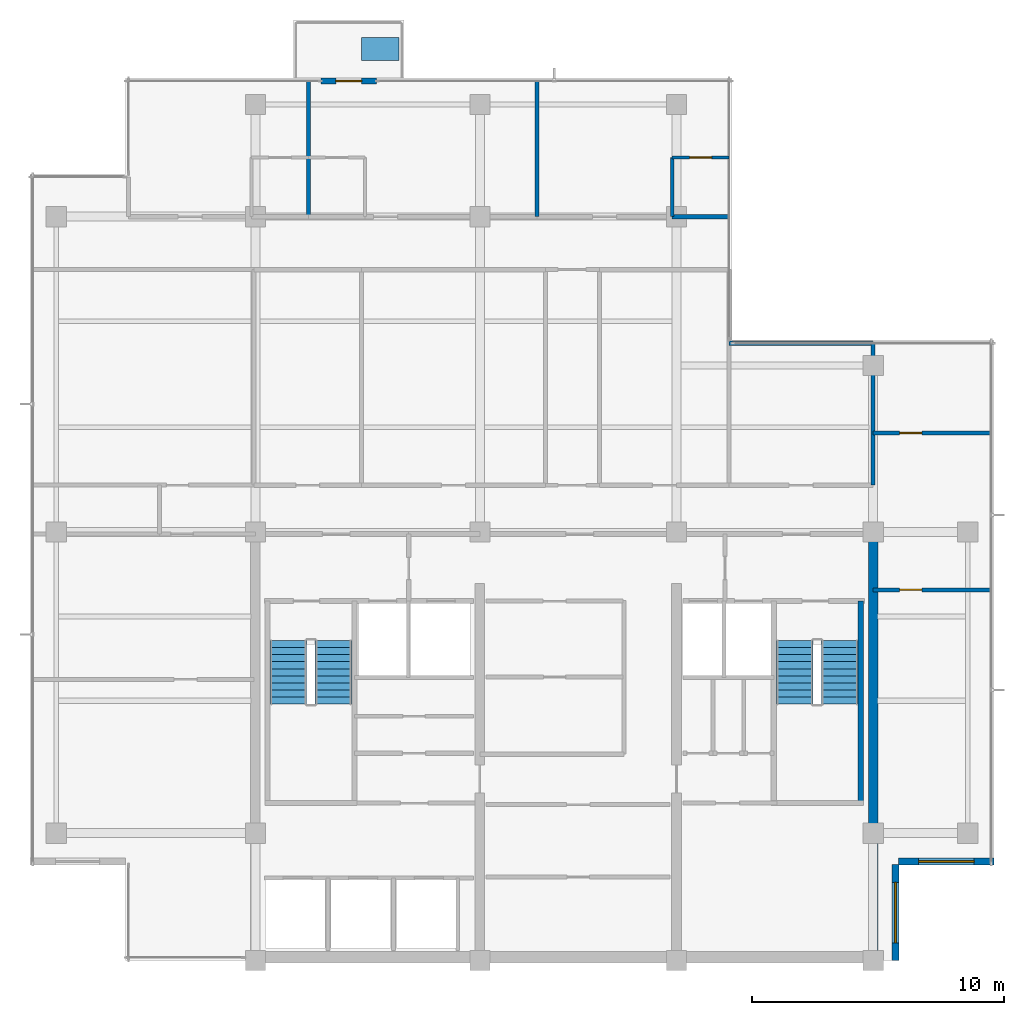
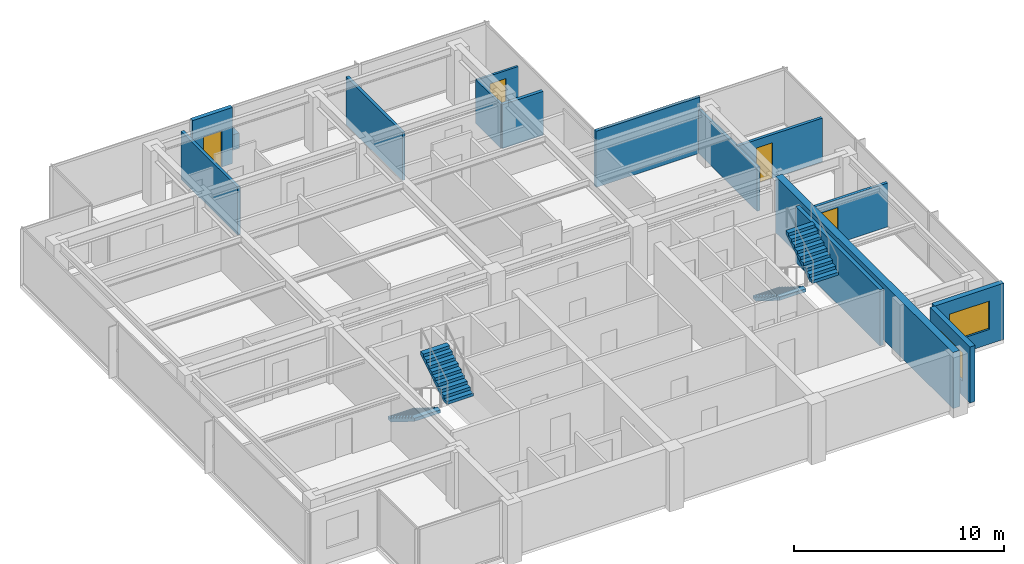
# One storey, part 8 of 11: 14 walls, 4 doors, 4 stair flights, 2 windows, 1 discrete accessory, 6 openings, 2 elements without a shape of their own.
"""IFC4 building model written with IfcOpenShell, lengths in metres."""

from ifc_helpers import new_model, si_unit, direction, frame, frame_2d, origin, place, context, subcontext, project, spatial, polyline, rectangle, outline, extrude, material, layer, layer_set, type_object, element, fill, aggregate, save


model = new_model("IFC4")

# Units and contexts
model_context = context("Model", 3, precision=1e-05, world=origin(), true_north=direction((0.0, 1.0)))
body_context = subcontext(model_context, "Body", "Model", "MODEL_VIEW")
ifc_project = project(units=[si_unit("LENGTHUNIT", "METRE"), si_unit("AREAUNIT", "SQUARE_METRE"), si_unit("VOLUMEUNIT", "CUBIC_METRE"), si_unit("PLANEANGLEUNIT", "RADIAN"), si_unit("MASSUNIT", "GRAM", prefix="KILO")], contexts=[model_context])

# Site, building, storey
site_placement = place(None, origin())
site = spatial("IfcSite", under=ifc_project, at=site_placement, CompositionType="ELEMENT")
building_placement = place(site_placement, origin())
building = spatial("IfcBuilding", under=site, at=building_placement, Name="Qalmaran Belvedere Hotel", CompositionType="ELEMENT")
storey_placement = place(building_placement, frame((0.0, 0.0, 249.39990234375)))
storey = spatial("IfcBuildingStorey", under=building, at=storey_placement, Name="L64", CompositionType="ELEMENT", Elevation=249.39990234375)

# Wall, opening, door
ifc_material_1 = material(Name="Anodised Bronze Cladding")
ifc_layer_1 = layer(ifc_material_1, 0.22509765625, Name="Anodised Bronze Cladding")
ifc_layer_set_1 = layer_set([ifc_layer_1], Name="Anodised Bronze Cladding")
wall_type_1 = type_object("IfcWallType", Name="WL-BAL-PORT-225", PredefinedType="SOLIDWALL", material=ifc_layer_set_1)
wall_1_placement = place(storey_placement, frame((22.89990234375, 38.3798828125, 0.0), z_axis=(0.0, 0.0, 1.0), x_axis=(1.0, 0.0, 0.0)))
wall_1 = element("IfcWall", 1, at=wall_1_placement, inside=storey, type_object=wall_type_1, Name="L64 Tree Balcony Door Portal", PredefinedType="SOLIDWALL", context=body_context, shape_type="SweptSolid", body=[
    extrude(rectangle(XDim=2.2001953125, YDim=0.22509765625, at=frame_2d((1.10009765625, 0.0))), origin(), (0.0, 0.0, 1.0), 3.260009765625),
])
opening_1_placement = place(wall_1_placement, frame((0.590087890625, 0.0, 0.0)))
opening_1 = element("IfcOpeningElement", 2, at=opening_1_placement, cuts=wall_1, Name="Opening BL-102", PredefinedType="OPENING", context=body_context, shape_type="SweptSolid", body=[
    extrude(rectangle(XDim=1.02001953125, YDim=2.10009765625, at=frame_2d((0.510009765625, 1.050048828125))), frame((0.0, 0.12255859375, 0.0), z_axis=(0.0, -1.0, 0.0), x_axis=(1.0, 0.0, 0.0)), (0.0, 0.0, 1.0), 0.2451171875),
])
ifc_material_2 = material(Name="Anodised Bronze Aluminium", Category="aluminium")
door_type_1 = type_object("IfcDoorType", Name="DR-BAL-1020X2100", OperationType="NOTDEFINED", PredefinedType="DOOR", material=ifc_material_2)
door_1_placement = place(opening_1_placement, origin())
door_1 = element("IfcDoor", 3, at=door_1_placement, inside=storey, type_object=door_type_1, Name="L64 Planted Tree Balcony Door", OperationType="SINGLE_SWING_LEFT", OverallHeight=2.10009765625, OverallWidth=1.02001953125, PredefinedType="DOOR", context=body_context, shape_type="SweptSolid", body=[
    extrude(rectangle(XDim=1.02001953125, YDim=2.10009765625, at=frame_2d((0.510009765625, 1.050048828125))), frame((0.0, 0.02490234375, 0.0), z_axis=(0.0, -1.0, 0.0), x_axis=(1.0, 0.0, 0.0)), (0.0, 0.0, 1.0), 0.050048828125),
])
fill(opening_1, door_1)

# Wall
ifc_material_3 = material(Name="Concrete C50/60", Category="concrete")
ifc_layer_2 = layer(ifc_material_3, 0.3798828125, Name="Concrete C50/60")
ifc_layer_set_2 = layer_set([ifc_layer_2], Name="Concrete C50/60")
wall_type_2 = type_object("IfcWallType", Name="WL-CORE-380-C50", PredefinedType="SHEAR", material=ifc_layer_set_2)
wall_2_placement = place(storey_placement, frame((44.800048828125, 3.5, 0.0), z_axis=(0.0, 0.0, 1.0), x_axis=(0.0, 1.0, 0.0)))
element("IfcWall", 4, at=wall_2_placement, inside=storey, type_object=wall_type_2, Name="L64 East Core Shear Wall", PredefinedType="SHEAR", context=body_context, shape_type="SweptSolid", body=[
    extrude(rectangle(XDim=16.89990234375, YDim=0.3798828125, at=frame_2d((8.449951171875, 0.0))), origin(), (0.0, 0.0, 1.0), 3.260009765625),
])

# Wall, opening, window
ifc_layer_3 = layer(ifc_material_1, 0.280029296875, Name="Anodised Bronze Cladding")
ifc_layer_set_3 = layer_set([ifc_layer_3], Name="Anodised Bronze Cladding")
wall_type_3 = type_object("IfcWallType", Name="WL-EXT-BRNZ-280", PredefinedType="SOLIDWALL", material=ifc_layer_set_3)
wall_3_placement = place(storey_placement, frame((45.679931640625, 3.5, 0.0), z_axis=(0.0, 0.0, 1.0), x_axis=(0.0, 1.0, 0.0)))
wall_3 = element("IfcWall", 5, at=wall_3_placement, inside=storey, type_object=wall_type_3, Name="L64 Corner Notch Wall 1", PredefinedType="SOLIDWALL", context=body_context, shape_type="SweptSolid", body=[
    extrude(rectangle(XDim=3.800048828125, YDim=0.280029296875, at=frame_2d((1.89990234375, 0.0))), origin(), (0.0, 0.0, 1.0), 3.260009765625),
])
opening_2_placement = place(wall_3_placement, frame((0.699951171875, 0.0, 0.85009765625)))
opening_2 = element("IfcOpeningElement", 6, at=opening_2_placement, cuts=wall_3, Name="Opening W-N24", PredefinedType="OPENING", context=body_context, shape_type="SweptSolid", body=[
    extrude(rectangle(XDim=2.39990234375, YDim=1.64990234375, at=frame_2d((1.199951171875, 0.824951171875))), frame((0.0, 0.14990234375, 0.0), z_axis=(0.0, -1.0, 0.0), x_axis=(1.0, 0.0, 0.0)), (0.0, 0.0, 1.0), 0.300048828125),
])
ifc_material_4 = material(Name="Solar-Control Double Glazing", Category="glass")
window_type_1 = type_object("IfcWindowType", Name="WN-NTC-2400X1650", PartitioningType="SINGLE_PANEL", PredefinedType="WINDOW", material=ifc_material_4)
window_1_placement = place(opening_2_placement, origin())
window_1 = element("IfcWindow", 7, at=window_1_placement, inside=storey, type_object=window_type_1, Name="L64 Corner Notch Window 1", OverallHeight=1.64990234375, OverallWidth=2.39990234375, PartitioningType="SINGLE_PANEL", PredefinedType="WINDOW", context=body_context, shape_type="SweptSolid", body=[
    extrude(rectangle(XDim=2.39990234375, YDim=1.64990234375, at=frame_2d((1.199951171875, 0.824951171875))), frame((0.0, 0.030029296875, 0.0), z_axis=(0.0, -1.0, 0.0), x_axis=(1.0, 0.0, 0.0)), (0.0, 0.0, 1.0), 0.06005859375),
])
fill(opening_2, window_1)

wall_4_placement = place(storey_placement, frame((45.800048828125, 7.419921875, 0.0), z_axis=(0.0, 0.0, 1.0), x_axis=(1.0, 0.0, 0.0)))
wall_4 = element("IfcWall", 8, at=wall_4_placement, inside=storey, type_object=wall_type_3, Name="L64 Corner Notch Wall 2", PredefinedType="SOLIDWALL", context=body_context, shape_type="SweptSolid", body=[
    extrude(rectangle(XDim=3.800048828125, YDim=0.280029296875, at=frame_2d((1.89990234375, 0.0))), origin(), (0.0, 0.0, 1.0), 3.260009765625),
])
opening_3_placement = place(wall_4_placement, frame((0.800048828125, 0.0, 0.85009765625)))
opening_3 = element("IfcOpeningElement", 9, at=opening_3_placement, cuts=wall_4, Name="Opening W-N22", PredefinedType="OPENING", context=body_context, shape_type="SweptSolid", body=[
    extrude(rectangle(XDim=2.199951171875, YDim=1.64990234375, at=frame_2d((1.10009765625, 0.824951171875))), frame((0.0, 0.14990234375, 0.0), z_axis=(0.0, -1.0, 0.0), x_axis=(1.0, 0.0, 0.0)), (0.0, 0.0, 1.0), 0.300048828125),
])
window_type_2 = type_object("IfcWindowType", Name="WN-NTC-2200X1650", PartitioningType="SINGLE_PANEL", PredefinedType="WINDOW", material=ifc_material_4)
window_2_placement = place(opening_3_placement, origin())
window_2 = element("IfcWindow", 10, at=window_2_placement, inside=storey, type_object=window_type_2, Name="L64 Corner Notch Window 2", OverallHeight=1.64990234375, OverallWidth=2.199951171875, PartitioningType="SINGLE_PANEL", PredefinedType="WINDOW", context=body_context, shape_type="SweptSolid", body=[
    extrude(rectangle(XDim=2.199951171875, YDim=1.64990234375, at=frame_2d((1.10009765625, 0.824951171875))), frame((0.0, 0.030029296875, 0.0), z_axis=(0.0, -1.0, 0.0), x_axis=(1.0, 0.0, 0.0)), (0.0, 0.0, 1.0), 0.06005859375),
])
fill(opening_3, window_2)

# Wall, opening, door
ifc_material_5 = material(Name="Moisture-Resistant Gypsum")
ifc_layer_4 = layer(ifc_material_5, 0.1201171875, Name="Moisture-Resistant Gypsum")
ifc_layer_set_4 = layer_set([ifc_layer_4], Name="Moisture-Resistant Gypsum")
wall_type_4 = type_object("IfcWallType", Name="WL-INT-120-BATH", PredefinedType="PARTITIONING", material=ifc_layer_set_4)
wall_5_placement = place(storey_placement, frame((36.830078125, 35.35009765625, 0.0), z_axis=(0.0, 0.0, 1.0), x_axis=(1.0, 0.0, 0.0)))
wall_5 = element("IfcWall", 11, at=wall_5_placement, inside=storey, type_object=wall_type_4, Name="L64 Partition WL-L64-NBN02", PredefinedType="PARTITIONING", context=body_context, shape_type="SweptSolid", body=[
    extrude(rectangle(XDim=2.25, YDim=0.1201171875, at=frame_2d((1.125, 0.0))), origin(), (0.0, 0.0, 1.0), 2.550048828125),
])
opening_4_placement = place(wall_5_placement, frame((1.56494140625, 0.0, 0.0), z_axis=(0.0, 0.0, 1.0), x_axis=(-1.0, 0.0, 0.0)))
opening_4 = element("IfcOpeningElement", 12, at=opening_4_placement, cuts=wall_5, Name="Opening D-BATH", PredefinedType="OPENING", context=body_context, shape_type="SweptSolid", body=[
    extrude(rectangle(XDim=0.8798828125, YDim=2.080078125, at=frame_2d((0.43994140625, 1.0400390625))), frame((0.0, 0.070068359375, 0.0), z_axis=(0.0, -1.0, 0.0), x_axis=(1.0, 0.0, 0.0)), (0.0, 0.0, 1.0), 0.14013671875),
])
ifc_material_6 = material(Name="Engineered Oak Veneer")
door_type_2 = type_object("IfcDoorType", Name="DR-INT-BATH-880X2080", OperationType="NOTDEFINED", PredefinedType="DOOR", material=ifc_material_6)
door_2_placement = place(opening_4_placement, origin())
door_2 = element("IfcDoor", 13, at=door_2_placement, inside=storey, type_object=door_type_2, Name="L64 Ensuite Bathroom Door N03", OperationType="SINGLE_SWING_LEFT", OverallHeight=2.080078125, OverallWidth=0.8798828125, PredefinedType="DOOR", context=body_context, shape_type="SweptSolid", body=[
    extrude(rectangle(XDim=0.8798828125, YDim=2.080078125, at=frame_2d((0.43994140625, 1.0400390625))), frame((0.0, 0.02490234375, 0.0), z_axis=(0.0, -1.0, 0.0), x_axis=(1.0, 0.0, 0.0)), (0.0, 0.0, 1.0), 0.050048828125),
])
fill(opening_4, door_2)

# Wall
wall_6_placement = place(storey_placement, frame((36.830078125, 33.0, 0.0), z_axis=(0.0, 0.0, 1.0), x_axis=(0.0, 1.0, 0.0)))
element("IfcWall", 14, at=wall_6_placement, inside=storey, type_object=wall_type_4, Name="L64 Partition WL-L64-NBS02", PredefinedType="PARTITIONING", context=body_context, shape_type="SweptSolid", body=[
    extrude(rectangle(XDim=2.35009765625, YDim=0.1201171875, at=frame_2d((1.175048828125, 0.0))), origin(), (0.0, 0.0, 1.0), 2.550048828125),
])

# Wall, opening, door
ifc_material_7 = material(Name="Gypsum Stud Partition")
ifc_layer_5 = layer(ifc_material_7, 0.159912109375, Name="Gypsum Stud Partition")
ifc_layer_set_5 = layer_set([ifc_layer_5], Name="Gypsum Stud Partition")
wall_type_5 = type_object("IfcWallType", Name="WL-INT-160-EI60", PredefinedType="PARTITIONING", material=ifc_layer_set_5)
wall_7_placement = place(storey_placement, frame((44.800048828125, 18.199951171875, 0.0), z_axis=(0.0, 0.0, 1.0), x_axis=(1.0, 0.0, 0.0)))
wall_7 = element("IfcWall", 15, at=wall_7_placement, inside=storey, type_object=wall_type_5, Name="L64 Partition WL-L64-C4EES", PredefinedType="PARTITIONING", context=body_context, shape_type="SweptSolid", body=[
    extrude(rectangle(XDim=4.679931640625, YDim=0.159912109375, at=frame_2d((2.33984375, 0.0))), origin(), (0.0, 0.0, 1.0), 2.550048828125),
])
opening_5_placement = place(wall_7_placement, frame((1.929931640625, 0.0, 0.0), z_axis=(0.0, 0.0, 1.0), x_axis=(-1.0, 0.0, 0.0)))
opening_5 = element("IfcOpeningElement", 16, at=opening_5_placement, cuts=wall_7, Name="Opening FD60B", PredefinedType="OPENING", context=body_context, shape_type="SweptSolid", body=[
    extrude(rectangle(XDim=0.8798828125, YDim=2.080078125, at=frame_2d((0.43994140625, 1.0400390625))), frame((0.0, 0.08984375, 0.0), z_axis=(0.0, -1.0, 0.0), x_axis=(1.0, 0.0, 0.0)), (0.0, 0.0, 1.0), 0.179931640625),
])
ifc_material_8 = material(Name="Steel S355JR", Category="steel")
door_type_3 = type_object("IfcDoorType", Name="DR-FD60B-880X2080", OperationType="NOTDEFINED", PredefinedType="DOOR", material=ifc_material_8)
door_3_placement = place(opening_5_placement, origin())
door_3 = element("IfcDoor", 17, at=door_3_placement, inside=storey, type_object=door_type_3, Name="L64 East Reading Door", OperationType="SINGLE_SWING_LEFT", OverallHeight=2.080078125, OverallWidth=0.8798828125, PredefinedType="DOOR", context=body_context, shape_type="SweptSolid", body=[
    extrude(rectangle(XDim=0.8798828125, YDim=2.080078125, at=frame_2d((0.43994140625, 1.0400390625))), frame((0.0, 0.02490234375, 0.0), z_axis=(0.0, -1.0, 0.0), x_axis=(1.0, 0.0, 0.0)), (0.0, 0.0, 1.0), 0.050048828125),
])
fill(opening_5, door_3)

wall_8_placement = place(storey_placement, frame((44.800048828125, 24.419921875, 0.0), z_axis=(0.0, 0.0, 1.0), x_axis=(1.0, 0.0, 0.0)))
wall_8 = element("IfcWall", 18, at=wall_8_placement, inside=storey, type_object=wall_type_5, Name="L64 Partition WL-L64-C4EEN", PredefinedType="PARTITIONING", context=body_context, shape_type="SweptSolid", body=[
    extrude(rectangle(XDim=4.679931640625, YDim=0.159912109375, at=frame_2d((2.33984375, 0.0))), origin(), (0.0, 0.0, 1.0), 2.550048828125),
])
opening_6_placement = place(wall_8_placement, frame((1.050048828125, 0.0, 0.0)))
opening_6 = element("IfcOpeningElement", 19, at=opening_6_placement, cuts=wall_8, Name="Opening FD60B", PredefinedType="OPENING", context=body_context, shape_type="SweptSolid", body=[
    extrude(rectangle(XDim=0.8798828125, YDim=2.080078125, at=frame_2d((0.43994140625, 1.0400390625))), frame((0.0, 0.08984375, 0.0), z_axis=(0.0, -1.0, 0.0), x_axis=(1.0, 0.0, 0.0)), (0.0, 0.0, 1.0), 0.179931640625),
])
door_4_placement = place(opening_6_placement, origin())
door_4 = element("IfcDoor", 20, at=door_4_placement, inside=storey, type_object=door_type_3, Name="L64 East Study Door", OperationType="SINGLE_SWING_RIGHT", OverallHeight=2.080078125, OverallWidth=0.8798828125, PredefinedType="DOOR", context=body_context, shape_type="SweptSolid", body=[
    extrude(rectangle(XDim=0.8798828125, YDim=2.080078125, at=frame_2d((0.43994140625, 1.0400390625))), frame((0.0, 0.02490234375, 0.0), z_axis=(0.0, -1.0, 0.0), x_axis=(1.0, 0.0, 0.0)), (0.0, 0.0, 1.0), 0.050048828125),
])
fill(opening_6, door_4)

# Walls
wall_9_placement = place(storey_placement, frame((44.800048828125, 22.35009765625, 0.0), z_axis=(0.0, 0.0, 1.0), x_axis=(0.0, 1.0, 0.0)))
element("IfcWall", 21, at=wall_9_placement, inside=storey, type_object=wall_type_5, Name="L64 Partition WL-L64-C4MFVR1", PredefinedType="PARTITIONING", context=body_context, shape_type="SweptSolid", body=[
    extrude(rectangle(XDim=5.6298828125, YDim=0.159912109375, at=frame_2d((2.81494140625, 0.0))), origin(), (0.0, 0.0, 1.0), 2.550048828125),
])
for number, where, z_axis, x_axis, name in (
    (22, (22.39990234375, 33.0, 0.0), (0.0, 0.0, 1.0), (0.0, 1.0, 0.0), "L64 Partition WL-L64-NUR00"),
    (23, (31.460693359375, 33.0, 0.0), (0.0, 0.0, 1.0), (0.0, 1.0, 0.0), "L64 Partition WL-L64-NUR01"),
):
    element("IfcWall", number, at=place(storey_placement, frame(where, z_axis=z_axis, x_axis=x_axis)), inside=storey, type_object=wall_type_5, Name=name, PredefinedType="PARTITIONING", context=body_context, shape_type="SweptSolid", body=[
        extrude(rectangle(XDim=5.3798828125, YDim=0.159912109375, at=frame_2d((2.68994140625, 0.0))), origin(), (0.0, 0.0, 1.0), 2.781982421875),
    ])
ifc_layer_6 = layer(ifc_material_7, 0.179931640625, Name="Gypsum Stud Partition")
ifc_layer_set_6 = layer_set([ifc_layer_6], Name="Gypsum Stud Partition")
wall_type_6 = type_object("IfcWallType", Name="WL-INT-180-EI60", PredefinedType="PARTITIONING", material=ifc_layer_set_6)
wall_10_placement = place(storey_placement, frame((39.080078125, 27.97998046875, 0.0), z_axis=(0.0, 0.0, 1.0), x_axis=(1.0, 0.0, 0.0)))
element("IfcWall", 24, at=wall_10_placement, inside=storey, type_object=wall_type_6, Name="L64 Partition WL-L64-C4MFO1", PredefinedType="PARTITIONING", context=body_context, shape_type="SweptSolid", body=[
    extrude(rectangle(XDim=5.719970703125, YDim=0.179931640625, at=frame_2d((2.85986328125, 0.0))), origin(), (0.0, 0.0, 1.0), 3.260009765625),
])
wall_11_placement = place(storey_placement, frame((36.830078125, 33.0, 0.0), z_axis=(0.0, 0.0, 1.0), x_axis=(1.0, 0.0, 0.0)))
element("IfcWall", 25, at=wall_11_placement, inside=storey, type_object=wall_type_6, Name="L64 Partition WL-L64-NBC02", PredefinedType="PARTITIONING", context=body_context, shape_type="SweptSolid", body=[
    extrude(rectangle(XDim=2.25, YDim=0.179931640625, at=frame_2d((1.125, 0.0))), origin(), (0.0, 0.0, 1.0), 2.550048828125),
])
ifc_layer_7 = layer(ifc_material_3, 0.2099609375, Name="Concrete C50/60")
ifc_layer_set_7 = layer_set([ifc_layer_7], Name="Concrete C50/60")
wall_type_7 = type_object("IfcWallType", Name="WL-STAIR-210-C50", PredefinedType="SHEAR", material=ifc_layer_set_7)
wall_12_placement = place(storey_placement, frame((44.304931640625, 9.7451171875, 0.0), z_axis=(0.0, 0.0, 1.0), x_axis=(0.0, 1.0, 0.0)))
element("IfcWall", 26, at=wall_12_placement, inside=storey, type_object=wall_type_7, Name="L64 Stair ST-2 East Bearing Wall", PredefinedType="SHEAR", context=body_context, shape_type="SweptSolid", body=[
    extrude(rectangle(XDim=8.009765625, YDim=0.2099609375, at=frame_2d((4.0048828125, 0.0))), origin(), (0.0, 0.0, 1.0), 3.260009765625),
])

# Stair, stair flights
ifc_material_9 = material(Name="Concrete C40/50", Category="concrete")
stair_type_1 = type_object("IfcStairType", Name="STR-ST-1-1450-R1750", PredefinedType="HALF_TURN_STAIR", material=ifc_material_9)
stair_1_placement = place(storey_placement, origin())
stair_1 = element("IfcStair", 27, at=stair_1_placement, inside=storey, type_object=stair_type_1, Name="L64 West Core Exit Stair ST-1", PredefinedType="HALF_TURN_STAIR")
ifc_layer_8 = layer(ifc_material_9, 0.14990234375, Name="Concrete C40/50")
ifc_layer_set_8 = layer_set([ifc_layer_8], Name="Concrete C40/50")
stair_flight_type_1 = type_object("IfcStairFlightType", Name="STF-ST-1-1450-R1750", PredefinedType="STRAIGHT", material=ifc_layer_set_8)
stair_flight_1_placement = place(storey_placement, frame((21.60498046875, 16.18994140625, 0.0), z_axis=(0.0, 0.0, 1.0), x_axis=(0.0, -1.0, 0.0)))
stair_flight_1 = element("IfcStairFlight", 28, at=stair_flight_1_placement, type_object=stair_flight_type_1, Name="ST-1 flight 1", NumberOfRisers=10, NumberOfTreads=9, PredefinedType="STRAIGHT", RiserHeight=0.175, TreadLength=0.28, context=body_context, shape_type="SweptSolid", body=[
    extrude(outline(polyline([(0.0, 0.0), (0.0, 0.175048828125), (0.280029296875, 0.175048828125), (0.280029296875, 0.35009765625), (0.56005859375, 0.35009765625), (0.56005859375, 0.52490234375), (0.840087890625, 0.52490234375), (0.840087890625, 0.699951171875), (1.1201171875, 0.699951171875), (1.1201171875, 0.875), (1.39990234375, 0.875), (1.39990234375, 1.050048828125), (1.679931640625, 1.050048828125), (1.679931640625, 1.22509765625), (1.9599609375, 1.22509765625), (1.9599609375, 1.39990234375), (2.239990234375, 1.39990234375), (2.239990234375, 1.574951171875), (2.52001953125, 1.574951171875), (2.52001953125, 1.75), (2.52001953125, 1.398193359375), (0.28271484375, 0.0), (0.0, 0.0)])), frame((0.0, 0.72509765625, 0.0), z_axis=(0.0, -1.0, 0.0), x_axis=(1.0, 0.0, 0.0)), (0.0, 0.0, 1.0), 1.449951171875),
])
stair_flight_2_placement = place(storey_placement, frame((23.39501953125, 13.669921875, 1.75), z_axis=(0.0, 0.0, 1.0), x_axis=(0.0, 1.0, 0.0)))
stair_flight_2 = element("IfcStairFlight", 29, at=stair_flight_2_placement, type_object=stair_flight_type_1, Name="ST-1 flight 2", NumberOfRisers=10, NumberOfTreads=9, PredefinedType="STRAIGHT", RiserHeight=0.175, TreadLength=0.28, context=body_context, shape_type="SweptSolid", body=[
    extrude(outline(polyline([(0.0, 0.0), (0.0, 0.175048828125), (0.280029296875, 0.175048828125), (0.280029296875, 0.35009765625), (0.56005859375, 0.35009765625), (0.56005859375, 0.52490234375), (0.840087890625, 0.52490234375), (0.840087890625, 0.699951171875), (1.1201171875, 0.699951171875), (1.1201171875, 0.875), (1.39990234375, 0.875), (1.39990234375, 1.050048828125), (1.679931640625, 1.050048828125), (1.679931640625, 1.22509765625), (1.9599609375, 1.22509765625), (1.9599609375, 1.39990234375), (2.239990234375, 1.39990234375), (2.239990234375, 1.574951171875), (2.52001953125, 1.574951171875), (2.52001953125, 1.75), (2.52001953125, 1.398193359375), (0.28271484375, 0.0), (0.0, 0.0)])), frame((0.0, 0.72509765625, 0.0), z_axis=(0.0, -1.0, 0.0), x_axis=(1.0, 0.0, 0.0)), (0.0, 0.0, 1.0), 1.449951171875),
])
aggregate(stair_1, [stair_flight_1, stair_flight_2])

stair_type_2 = type_object("IfcStairType", Name="STR-ST-2-1450-R1750", PredefinedType="HALF_TURN_STAIR", material=ifc_material_9)
stair_2_placement = place(storey_placement, origin())
stair_2 = element("IfcStair", 30, at=stair_2_placement, inside=storey, type_object=stair_type_2, Name="L64 East Core Exit Stair ST-2", PredefinedType="HALF_TURN_STAIR")
ifc_layer_9 = layer(ifc_material_9, 0.14990234375, Name="Concrete C40/50")
ifc_layer_set_9 = layer_set([ifc_layer_9], Name="Concrete C40/50")
stair_flight_type_2 = type_object("IfcStairFlightType", Name="STF-ST-2-1450-R1750", PredefinedType="STRAIGHT", material=ifc_layer_set_9)
stair_flight_3_placement = place(storey_placement, frame((41.68505859375, 16.18994140625, 0.0), z_axis=(0.0, 0.0, 1.0), x_axis=(0.0, -1.0, 0.0)))
stair_flight_3 = element("IfcStairFlight", 31, at=stair_flight_3_placement, type_object=stair_flight_type_2, Name="ST-2 flight 1", NumberOfRisers=10, NumberOfTreads=9, PredefinedType="STRAIGHT", RiserHeight=0.175, TreadLength=0.28, context=body_context, shape_type="SweptSolid", body=[
    extrude(outline(polyline([(0.0, 0.0), (0.0, 0.175048828125), (0.280029296875, 0.175048828125), (0.280029296875, 0.35009765625), (0.56005859375, 0.35009765625), (0.56005859375, 0.52490234375), (0.840087890625, 0.52490234375), (0.840087890625, 0.699951171875), (1.1201171875, 0.699951171875), (1.1201171875, 0.875), (1.39990234375, 0.875), (1.39990234375, 1.050048828125), (1.679931640625, 1.050048828125), (1.679931640625, 1.22509765625), (1.9599609375, 1.22509765625), (1.9599609375, 1.39990234375), (2.239990234375, 1.39990234375), (2.239990234375, 1.574951171875), (2.52001953125, 1.574951171875), (2.52001953125, 1.75), (2.52001953125, 1.398193359375), (0.28271484375, 0.0), (0.0, 0.0)])), frame((0.0, 0.72509765625, 0.0), z_axis=(0.0, -1.0, 0.0), x_axis=(1.0, 0.0, 0.0)), (0.0, 0.0, 1.0), 1.449951171875),
])
stair_flight_4_placement = place(storey_placement, frame((43.47509765625, 13.669921875, 1.75), z_axis=(0.0, 0.0, 1.0), x_axis=(0.0, 1.0, 0.0)))
stair_flight_4 = element("IfcStairFlight", 32, at=stair_flight_4_placement, type_object=stair_flight_type_2, Name="ST-2 flight 2", NumberOfRisers=10, NumberOfTreads=9, PredefinedType="STRAIGHT", RiserHeight=0.175, TreadLength=0.28, context=body_context, shape_type="SweptSolid", body=[
    extrude(outline(polyline([(0.0, 0.0), (0.0, 0.175048828125), (0.280029296875, 0.175048828125), (0.280029296875, 0.35009765625), (0.56005859375, 0.35009765625), (0.56005859375, 0.52490234375), (0.840087890625, 0.52490234375), (0.840087890625, 0.699951171875), (1.1201171875, 0.699951171875), (1.1201171875, 0.875), (1.39990234375, 0.875), (1.39990234375, 1.050048828125), (1.679931640625, 1.050048828125), (1.679931640625, 1.22509765625), (1.9599609375, 1.22509765625), (1.9599609375, 1.39990234375), (2.239990234375, 1.39990234375), (2.239990234375, 1.574951171875), (2.52001953125, 1.574951171875), (2.52001953125, 1.75), (2.52001953125, 1.398193359375), (0.28271484375, 0.0), (0.0, 0.0)])), frame((0.0, 0.72509765625, 0.0), z_axis=(0.0, -1.0, 0.0), x_axis=(1.0, 0.0, 0.0)), (0.0, 0.0, 1.0), 1.449951171875),
])
aggregate(stair_2, [stair_flight_3, stair_flight_4])

# Discrete accessory
discrete_accessory_type = type_object("IfcDiscreteAccessoryType", Name="PLN-BAL-1500", PredefinedType="USERDEFINED", material=ifc_material_9)
discrete_accessory_placement = place(storey_placement, origin())
element("IfcDiscreteAccessory", 33, at=discrete_accessory_placement, inside=storey, type_object=discrete_accessory_type, Name="L64 Sky Tree Planter", ObjectType="PLANTER", PredefinedType="USERDEFINED", context=body_context, shape_type="SweptSolid", body=[
    extrude(outline(polyline([(24.5, 39.199951171875), (26.0, 39.199951171875), (26.0, 40.10009765625), (24.5, 40.10009765625), (24.5, 39.199951171875)])), origin(), (0.0, 0.0, 1.0), 0.900146484375),
])

save(model, "model.ifc")
